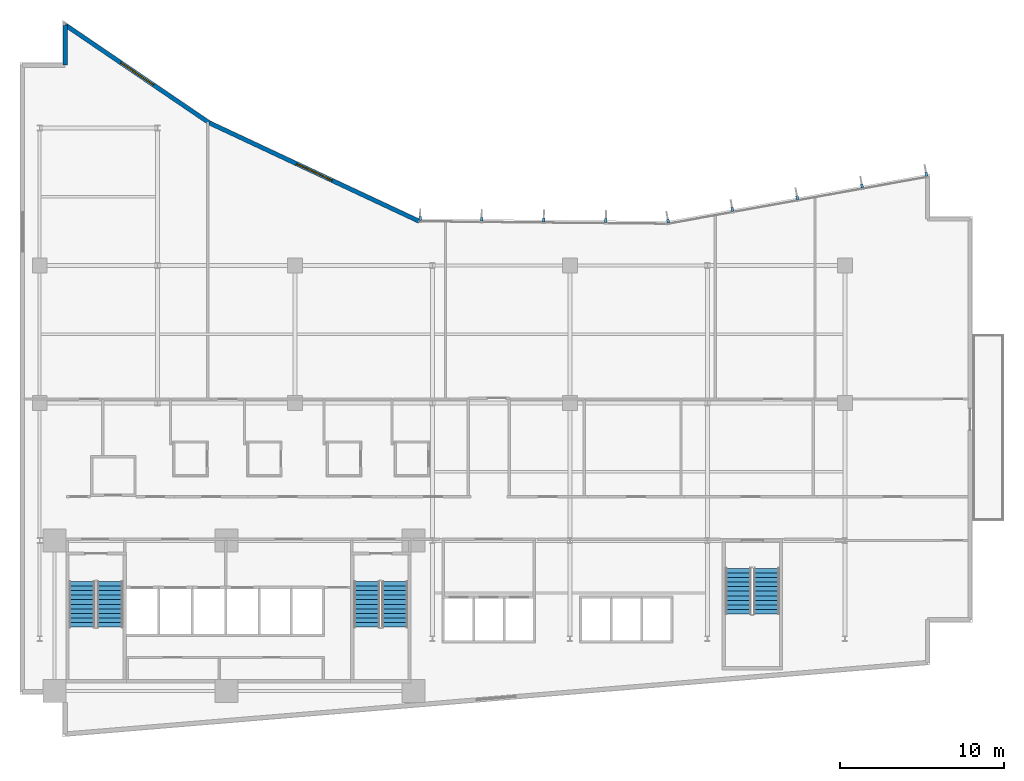
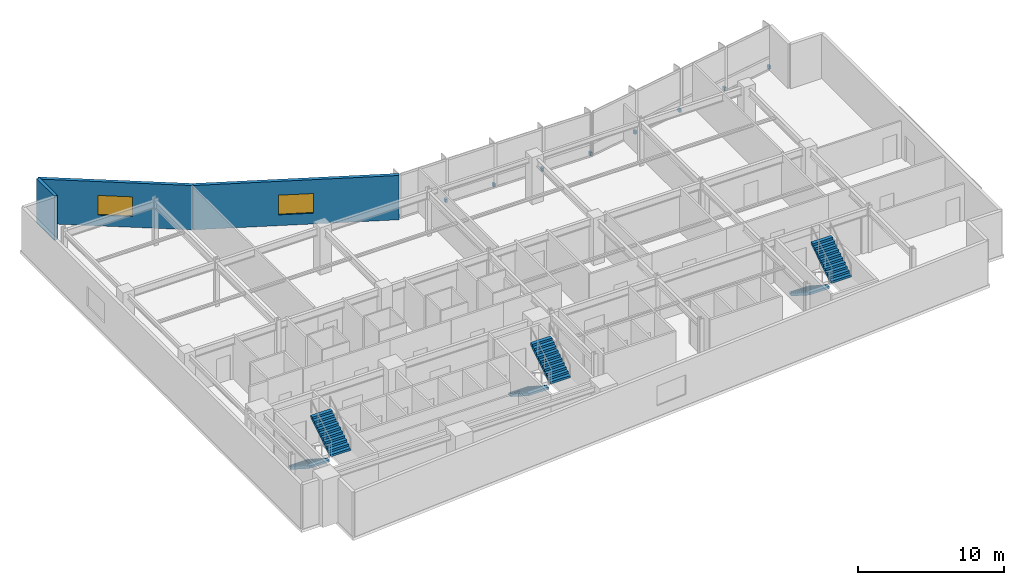
# One storey, part 13 of 18: 9 discrete accessories, 6 stair flights, 3 walls, 2 windows, 2 openings, 3 elements without a shape of their own.
"""IFC4 building model written with IfcOpenShell, lengths in metres."""

import ifcopenshell
import ifcopenshell.guid

model = None  # the IFC model being written
_history = None  # IfcOwnerHistory: only IFC2X3 demands one
_inside = {}  # id of a spatial element -> (the spatial element, [elements in it])
_under = {}  # id of a project, library or spatial element -> (it, [spatial elements below it])
_declared = {}  # id of a project -> (the project, [libraries it declares])
_typed = {}  # id of a type object -> (the type object, [elements of that type])
_made_of = {}  # id of a material, layer set ... -> (it, [elements and type objects made of it])


def new_model(schema):
    """Start an empty IFC model of exactly this schema.

    Asked for "IFC4X3", IfcOpenShell would pick the latest addendum, in which some entities
    have other attributes; the version numbers below select the first issue.
    IFC2X3 requires an IfcOwnerHistory on every rooted entity: one is made here for all.
    """
    global model, _history
    if schema == "IFC4X3":
        model = ifcopenshell.file(schema_version=(4, 3, 0, 0))
    else:
        model = ifcopenshell.file(schema=schema)
    _inside.clear()
    _under.clear()
    _declared.clear()
    _typed.clear()
    _made_of.clear()
    _history = None
    if model.schema == "IFC2X3":
        org = make("IfcOrganization", Name="unknown")
        user = make(
            "IfcPersonAndOrganization",
            ThePerson=make("IfcPerson", FamilyName="unknown"),
            TheOrganization=org,
        )
        app = make(
            "IfcApplication",
            ApplicationDeveloper=org,
            Version="unknown",
            ApplicationFullName="unknown",
            ApplicationIdentifier="unknown",
        )
        _history = make(
            "IfcOwnerHistory",
            OwningUser=user,
            OwningApplication=app,
            ChangeAction="ADDED",
            CreationDate=0,
        )
    return model


def make(cls, **values):
    """One entity of the class cls with the attributes given. An attribute that is None is left unset."""
    return model.create_entity(
        cls, **{name: value for name, value in values.items() if value is not None}
    )


def rooted(cls, **values):
    """An entity with a GlobalId (a new one), such as an element, a storey or a relation."""
    return make(cls, GlobalId=ifcopenshell.guid.new(), OwnerHistory=_history, **values)


def si_unit(unit_type, name, prefix=None):
    """IfcSIUnit, for example si_unit("LENGTHUNIT", "METRE", prefix="MILLI")."""
    return make("IfcSIUnit", UnitType=unit_type, Prefix=prefix, Name=name)


def assignment(units):
    """IfcUnitAssignment: the units of a project."""
    return None if units is None else make("IfcUnitAssignment", Units=units)


def point(xyz):
    """IfcCartesianPoint."""
    return None if xyz is None else make("IfcCartesianPoint", Coordinates=xyz)


def direction(xyz):
    """IfcDirection."""
    return None if xyz is None else make("IfcDirection", DirectionRatios=xyz)


def frame(location, z_axis=None, x_axis=None):
    """IfcAxis2Placement3D, a coordinate frame: its origin and axes. An axis left out is left unset."""
    return make(
        "IfcAxis2Placement3D",
        Location=point(location),
        Axis=direction(z_axis),
        RefDirection=direction(x_axis),
    )


def frame_2d(location, x_axis=None):
    """IfcAxis2Placement2D, a coordinate frame in the plane: its origin and x axis."""
    return make(
        "IfcAxis2Placement2D", Location=point(location), RefDirection=direction(x_axis)
    )


def origin():
    """The frame at (0, 0, 0) with its axes left unset."""
    return frame((0.0, 0.0, 0.0))


def origin_2d():
    """The frame at (0, 0) in the plane with its x axis left unset."""
    return frame_2d((0.0, 0.0))


def place(relative_to, where):
    """IfcLocalPlacement: puts the frame where relative to a parent placement (None: the world)."""
    return make(
        "IfcLocalPlacement", PlacementRelTo=relative_to, RelativePlacement=where
    )


def context(
    kind, dimensions, precision=None, world=None, true_north=None, identifier=None
):
    """IfcGeometricRepresentationContext, for example the 3D "Model" context."""
    return make(
        "IfcGeometricRepresentationContext",
        ContextIdentifier=identifier,
        ContextType=kind,
        CoordinateSpaceDimension=dimensions,
        Precision=precision,
        WorldCoordinateSystem=world,
        TrueNorth=true_north,
    )


def subcontext(parent, identifier, kind, view, scale=None):
    """IfcGeometricRepresentationSubContext, for example "Body" below "Model"."""
    return make(
        "IfcGeometricRepresentationSubContext",
        ContextIdentifier=identifier,
        ContextType=kind,
        ParentContext=parent,
        TargetScale=scale,
        TargetView=view,
    )


def project(units=None, contexts=None):
    """IfcProject with its units and contexts."""
    return rooted(
        "IfcProject",
        Name="project",
        RepresentationContexts=contexts,
        UnitsInContext=assignment(units),
    )


def spatial(cls, under=None, at=None, **own):
    """A site, building, storey or space (cls), placed at a placement, below another one or the project."""
    s = rooted(cls, ObjectPlacement=at, **own)
    if under is not None:
        _under.setdefault(under.id(), (under, []))[1].append(s)
    return s


def polyline(points):
    """IfcPolyline through the points."""
    return make("IfcPolyline", Points=[point(p) for p in points])


def profile(cls, at=None, kind="AREA", **sizes):
    """A parametric profile (cls). Its sizes go by their IFC names, for example OverallWidth=200.0."""
    return make(cls, ProfileType=kind, Position=at, **sizes)


def rectangle(**sizes):
    """IfcRectangleProfileDef."""
    return profile("IfcRectangleProfileDef", **sizes)


def outline(outer, holes=None, kind="AREA"):
    """IfcArbitraryClosedProfileDef: a profile drawn as a closed curve; with holes, ...WithVoids."""
    if holes is None:
        return make("IfcArbitraryClosedProfileDef", ProfileType=kind, OuterCurve=outer)
    return make(
        "IfcArbitraryProfileDefWithVoids",
        ProfileType=kind,
        OuterCurve=outer,
        InnerCurves=holes,
    )


def extrude(swept, where, along, depth):
    """IfcExtrudedAreaSolid: the profile swept, set in the frame where, extruded along a direction by depth."""
    return make(
        "IfcExtrudedAreaSolid",
        SweptArea=swept,
        Position=where,
        ExtrudedDirection=direction(along),
        Depth=depth,
    )


def shape(context_of_items, identifier, shape_type, items):
    """IfcShapeRepresentation: the items that make up one representation, for example the "Body"."""
    return make(
        "IfcShapeRepresentation",
        ContextOfItems=context_of_items,
        RepresentationIdentifier=identifier,
        RepresentationType=shape_type,
        Items=items,
    )


def material(Name=None, Category=None):
    """IfcMaterial."""
    return make("IfcMaterial", Name=Name, Category=Category)


def layer(
    of_material, thickness, ventilated=None, Name=None, Category=None, Priority=None
):
    """IfcMaterialLayer: one layer of a wall or slab, of a material (None: an air gap)."""
    return make(
        "IfcMaterialLayer",
        Material=of_material,
        LayerThickness=thickness,
        IsVentilated=ventilated,
        Name=Name,
        Category=Category,
        Priority=Priority,
    )


def layer_set(layers, Name=None):
    """IfcMaterialLayerSet."""
    return make("IfcMaterialLayerSet", MaterialLayers=layers, LayerSetName=Name)


def made_of(thing, what):
    """Note that an element or type object is made of a material, layer set ...; save() writes the relation."""
    if what is not None:
        _made_of.setdefault(what.id(), (what, []))[1].append(thing)
    return thing


def type_object(cls, material=None, **own):
    """A type object (cls), such as IfcWallType, which elements share."""
    return made_of(rooted(cls, **own), material)


def element(
    cls,
    number,
    at=None,
    inside=None,
    cuts=None,
    type_object=None,
    material=None,
    context=None,
    identifier="Body",
    shape_type=None,
    held_by="IfcProductDefinitionShape",
    body=None,
    shapes=None,
    **own,
):
    """One element of the class cls, such as IfcWall. Its Tag is "e" and its number.

    at: its placement. inside: the storey or other place that contains it. cuts: it is an
    opening in that element (IfcRelVoidsElement). A single representation is given by context,
    identifier, shape_type and body (its items); several are given by shapes. held_by: the class
    of the entity that holds the representations. save() writes the other relations.
    """
    e = rooted(cls, Tag="e%d" % number, ObjectPlacement=at, **own)
    if body is not None:
        shapes = [shape(context, identifier, shape_type, body)]
    if shapes is not None:
        e.Representation = make(held_by, Representations=shapes)
    if inside is not None:
        _inside.setdefault(inside.id(), (inside, []))[1].append(e)
    if cuts is not None:
        rooted(
            "IfcRelVoidsElement", RelatingBuildingElement=cuts, RelatedOpeningElement=e
        )
    if type_object is not None:
        _typed.setdefault(type_object.id(), (type_object, []))[1].append(e)
    return made_of(e, material)


def fill(opening, filler):
    """IfcRelFillsElement: the door or window that sits in an opening."""
    return rooted(
        "IfcRelFillsElement",
        RelatingOpeningElement=opening,
        RelatedBuildingElement=filler,
    )


def aggregate(whole, parts):
    """IfcRelAggregates: a whole, such as a stair, and the parts it consists of."""
    return rooted("IfcRelAggregates", RelatingObject=whole, RelatedObjects=parts)


def save(model, path):
    """Write the relations noted so far, then the file.

    IfcRelAggregates (storeys below a building ...), IfcRelContainedInSpatialStructure (elements
    in a storey), IfcRelDefinesByType, IfcRelAssociatesMaterial and IfcRelDeclares: one each for
    every whole, place, type object, material and project.
    """
    for whole, parts in _under.values():
        aggregate(whole, parts)
    for where, things in _inside.values():
        rooted(
            "IfcRelContainedInSpatialStructure",
            RelatedElements=things,
            RelatingStructure=where,
        )
    for kind, things in _typed.values():
        rooted("IfcRelDefinesByType", RelatedObjects=things, RelatingType=kind)
    for what, things in _made_of.values():
        rooted("IfcRelAssociatesMaterial", RelatedObjects=things, RelatingMaterial=what)
    for by, libraries in _declared.values():
        rooted("IfcRelDeclares", RelatingContext=by, RelatedDefinitions=libraries)
    model.write(path)


model = new_model("IFC4")

# Units and contexts
model_context = context("Model", 3, precision=1e-05, world=origin(), true_north=direction((0.0, 1.0)))
body_context = subcontext(model_context, "Body", "Model", "MODEL_VIEW")
ifc_project = project(units=[si_unit("LENGTHUNIT", "METRE"), si_unit("AREAUNIT", "SQUARE_METRE"), si_unit("VOLUMEUNIT", "CUBIC_METRE"), si_unit("PLANEANGLEUNIT", "RADIAN"), si_unit("MASSUNIT", "GRAM", prefix="KILO")], contexts=[model_context])

# Site, building, storey
site_placement = place(None, origin())
site = spatial("IfcSite", under=ifc_project, at=site_placement, CompositionType="ELEMENT")
building_placement = place(site_placement, origin())
building = spatial("IfcBuilding", under=site, at=building_placement, Name="Varnakote Quay Hospital", CompositionType="ELEMENT")
storey_placement = place(building_placement, frame((0.0, 0.0, 73.85009765625)))
storey = spatial("IfcBuildingStorey", under=building, at=storey_placement, Name="L18", CompositionType="ELEMENT", Elevation=73.85009765625)

# Wall, opening, window
ifc_material_1 = material(Name="Precast concrete N50 (f'c 50 MPa)", Category="concrete")
ifc_layer_1 = layer(ifc_material_1, 0.260009765625)
ifc_layer_set_1 = layer_set([ifc_layer_1], Name="Precast concrete N50 (f'c 50 MPa)")
wall_type = type_object("IfcWallType", Name="WL-EXT-BRICK-260", PredefinedType="STANDARD", material=ifc_layer_set_1)
wall_1_placement = place(storey_placement, frame((24.40771484375, 31.4921875, 0.0), z_axis=(0.0, 0.0, 1.0), x_axis=(-0.905396522918, 0.424566998585, 0.0)))
wall_1 = element("IfcWall", 1, at=wall_1_placement, inside=storey, type_object=wall_type, Name="L18 Brick-Faced Precast Exterior Wall", PredefinedType="STANDARD", context=body_context, shape_type="SweptSolid", body=[
    extrude(rectangle(XDim=14.189453125, YDim=0.260009765625, at=frame_2d((7.0947265625, 0.0))), origin(), (0.0, 0.0, 1.0), 3.7099609375),
])
opening_1_placement = place(wall_1_placement, frame((5.894775390625, 0.0, 0.89990234375)))
opening_1 = element("IfcOpeningElement", 2, at=opening_1_placement, cuts=wall_1, Name="Opening WN-0087", PredefinedType="OPENING", context=body_context, shape_type="SweptSolid", body=[
    extrude(rectangle(XDim=2.39990234375, YDim=1.64990234375, at=frame_2d((1.199951171875, 0.824951171875))), frame((0.0, 0.139892578125, 0.0), z_axis=(0.0, -1.0, 0.0), x_axis=(1.0, 0.0, 0.0)), (0.0, 0.0, 1.0), 0.280029296875),
])
ifc_material_2 = material(Name="Double-glazed low-E solar glass", Category="glass")
window_type = type_object("IfcWindowType", Name="WIN-CLIN-2400x1650", PartitioningType="SINGLE_PANEL", PredefinedType="WINDOW", material=ifc_material_2)
window_1_placement = place(opening_1_placement, origin())
window_1 = element("IfcWindow", 3, at=window_1_placement, inside=storey, type_object=window_type, Name="L18 Solar-Control Clinical Window", OverallHeight=1.64990234375, OverallWidth=2.39990234375, PartitioningType="SINGLE_PANEL", PredefinedType="WINDOW", context=body_context, shape_type="SweptSolid", body=[
    extrude(rectangle(XDim=2.39990234375, YDim=1.64990234375, at=frame_2d((1.199951171875, 0.824951171875))), frame((0.0, 0.030029296875, 0.0), z_axis=(0.0, -1.0, 0.0), x_axis=(1.0, 0.0, 0.0)), (0.0, 0.0, 1.0), 0.06005859375),
])
fill(opening_1, window_1)

wall_2_placement = place(storey_placement, frame((11.560546875, 37.5166015625, 0.0), z_axis=(0.0, 0.0, 1.0), x_axis=(-0.827064743936, 0.562106670782, 0.0)))
wall_2 = element("IfcWall", 4, at=wall_2_placement, inside=storey, type_object=wall_type, Name="L18 Brick-Faced Precast Exterior Wall", PredefinedType="STANDARD", context=body_context, shape_type="SweptSolid", body=[
    extrude(rectangle(XDim=10.640625, YDim=0.260009765625, at=frame_2d((5.3203125, 0.0))), origin(), (0.0, 0.0, 1.0), 3.7099609375),
])
opening_2_placement = place(wall_2_placement, frame((4.120361328125, 0.0, 0.89990234375)))
opening_2 = element("IfcOpeningElement", 5, at=opening_2_placement, cuts=wall_2, Name="Opening WN-0088", PredefinedType="OPENING", context=body_context, shape_type="SweptSolid", body=[
    extrude(rectangle(XDim=2.39990234375, YDim=1.64990234375, at=frame_2d((1.199951171875, 0.824951171875))), frame((0.0, 0.139892578125, 0.0), z_axis=(0.0, -1.0, 0.0), x_axis=(1.0, 0.0, 0.0)), (0.0, 0.0, 1.0), 0.280029296875),
])
window_2_placement = place(opening_2_placement, origin())
window_2 = element("IfcWindow", 6, at=window_2_placement, inside=storey, type_object=window_type, Name="L18 Solar-Control Clinical Window", OverallHeight=1.64990234375, OverallWidth=2.39990234375, PartitioningType="SINGLE_PANEL", PredefinedType="WINDOW", context=body_context, shape_type="SweptSolid", body=[
    extrude(rectangle(XDim=2.39990234375, YDim=1.64990234375, at=frame_2d((1.199951171875, 0.824951171875))), frame((0.0, 0.030029296875, 0.0), z_axis=(0.0, -1.0, 0.0), x_axis=(1.0, 0.0, 0.0)), (0.0, 0.0, 1.0), 0.06005859375),
])
fill(opening_2, window_2)

# Wall
wall_3_placement = place(storey_placement, frame((2.760009765625, 43.497802734375, 0.0), z_axis=(0.0, 0.0, 1.0), x_axis=(0.0, -1.0, 0.0)))
element("IfcWall", 7, at=wall_3_placement, inside=storey, type_object=wall_type, Name="L18 Brick-Faced Precast Exterior Wall", PredefinedType="STANDARD", context=body_context, shape_type="SweptSolid", body=[
    extrude(rectangle(XDim=2.457763671875, YDim=0.260009765625, at=frame_2d((1.22900390625, 0.0))), origin(), (0.0, 0.0, 1.0), 3.7099609375),
])

# Stair, stair flights
ifc_material_3 = material(Name="Concrete N40 (f'c 40 MPa)", Category="concrete")
stair_type = type_object("IfcStairType", Name="STR-CORE-1580", PredefinedType="HALF_TURN_STAIR", material=ifc_material_3)
stair_1_placement = place(storey_placement, origin())
stair_1 = element("IfcStair", 8, at=stair_1_placement, inside=storey, type_object=stair_type, Name="L18 Fire-Isolated Exit Stair ST-01", PredefinedType="HALF_TURN_STAIR")
ifc_material_4 = material(Name="Concrete N40 (f'c 40 MPa)", Category="concrete")
ifc_layer_2 = layer(ifc_material_4, 0.159912109375)
ifc_layer_set_2 = layer_set([ifc_layer_2], Name="Concrete N40 (f'c 40 MPa)")
stair_flight_type = type_object("IfcStairFlightType", Name="FLT-CORE-1580", PredefinedType="STRAIGHT", material=ifc_layer_set_2)
stair_flight_1_placement = place(storey_placement, frame((3.7900390625, 9.5, 0.0), z_axis=(0.0, 0.0, 1.0), x_axis=(0.0, -1.0, 0.0)))
stair_flight_1 = element("IfcStairFlight", 9, at=stair_flight_1_placement, type_object=stair_flight_type, Name="ST-01 flight 1", NumberOfRisers=11, NumberOfTreads=10, PredefinedType="STRAIGHT", RiserHeight=0.179545455, TreadLength=0.28, context=body_context, shape_type="SweptSolid", body=[
    extrude(outline(polyline([(0.0, 0.0), (0.0, 0.179443359375), (0.280029296875, 0.179443359375), (0.280029296875, 0.359130859375), (0.56005859375, 0.359130859375), (0.56005859375, 0.53857421875), (0.840087890625, 0.53857421875), (0.840087890625, 0.71826171875), (1.1201171875, 0.71826171875), (1.1201171875, 0.897705078125), (1.39990234375, 0.897705078125), (1.39990234375, 1.077392578125), (1.679931640625, 1.077392578125), (1.679931640625, 1.2568359375), (1.9599609375, 1.2568359375), (1.9599609375, 1.436279296875), (2.239990234375, 1.436279296875), (2.239990234375, 1.615966796875), (2.52001953125, 1.615966796875), (2.52001953125, 1.79541015625), (2.800048828125, 1.79541015625), (2.800048828125, 1.97509765625), (2.800048828125, 1.60546875), (0.296142578125, 0.0), (0.0, 0.0)])), frame((0.0, 0.7900390625, 0.0), z_axis=(0.0, -1.0, 0.0), x_axis=(1.0, 0.0, 0.0)), (0.0, 0.0, 1.0), 1.580078125),
])
stair_flight_2_placement = place(storey_placement, frame((5.510009765625, 6.699951171875, 1.974853515625), z_axis=(0.0, 0.0, 1.0), x_axis=(0.0, 1.0, 0.0)))
stair_flight_2 = element("IfcStairFlight", 10, at=stair_flight_2_placement, type_object=stair_flight_type, Name="ST-01 flight 2", NumberOfRisers=11, NumberOfTreads=10, PredefinedType="STRAIGHT", RiserHeight=0.179545455, TreadLength=0.28, context=body_context, shape_type="SweptSolid", body=[
    extrude(outline(polyline([(0.0, 0.0), (0.0, 0.179443359375), (0.280029296875, 0.179443359375), (0.280029296875, 0.359130859375), (0.56005859375, 0.359130859375), (0.56005859375, 0.53857421875), (0.840087890625, 0.53857421875), (0.840087890625, 0.71826171875), (1.1201171875, 0.71826171875), (1.1201171875, 0.897705078125), (1.39990234375, 0.897705078125), (1.39990234375, 1.077392578125), (1.679931640625, 1.077392578125), (1.679931640625, 1.2568359375), (1.9599609375, 1.2568359375), (1.9599609375, 1.436279296875), (2.239990234375, 1.436279296875), (2.239990234375, 1.615966796875), (2.52001953125, 1.615966796875), (2.52001953125, 1.79541015625), (2.800048828125, 1.79541015625), (2.800048828125, 1.97509765625), (2.800048828125, 1.60546875), (0.296142578125, 0.0), (0.0, 0.0)])), frame((0.0, 0.7900390625, 0.0), z_axis=(0.0, -1.0, 0.0), x_axis=(1.0, 0.0, 0.0)), (0.0, 0.0, 1.0), 1.580078125),
])
aggregate(stair_1, [stair_flight_1, stair_flight_2])

stair_2_placement = place(storey_placement, origin())
stair_2 = element("IfcStair", 11, at=stair_2_placement, inside=storey, type_object=stair_type, Name="L18 Fire-Isolated Exit Stair ST-02", PredefinedType="HALF_TURN_STAIR")
stair_flight_3_placement = place(storey_placement, frame((21.18994140625, 9.5, 0.0), z_axis=(0.0, 0.0, 1.0), x_axis=(0.0, -1.0, 0.0)))
stair_flight_3 = element("IfcStairFlight", 12, at=stair_flight_3_placement, type_object=stair_flight_type, Name="ST-02 flight 1", NumberOfRisers=11, NumberOfTreads=10, PredefinedType="STRAIGHT", RiserHeight=0.179545455, TreadLength=0.28, context=body_context, shape_type="SweptSolid", body=[
    extrude(outline(polyline([(0.0, 0.0), (0.0, 0.179443359375), (0.280029296875, 0.179443359375), (0.280029296875, 0.359130859375), (0.56005859375, 0.359130859375), (0.56005859375, 0.53857421875), (0.840087890625, 0.53857421875), (0.840087890625, 0.71826171875), (1.1201171875, 0.71826171875), (1.1201171875, 0.897705078125), (1.39990234375, 0.897705078125), (1.39990234375, 1.077392578125), (1.679931640625, 1.077392578125), (1.679931640625, 1.2568359375), (1.9599609375, 1.2568359375), (1.9599609375, 1.436279296875), (2.239990234375, 1.436279296875), (2.239990234375, 1.615966796875), (2.52001953125, 1.615966796875), (2.52001953125, 1.79541015625), (2.800048828125, 1.79541015625), (2.800048828125, 1.97509765625), (2.800048828125, 1.60546875), (0.296142578125, 0.0), (0.0, 0.0)])), frame((0.0, 0.7900390625, 0.0), z_axis=(0.0, -1.0, 0.0), x_axis=(1.0, 0.0, 0.0)), (0.0, 0.0, 1.0), 1.580078125),
])
stair_flight_4_placement = place(storey_placement, frame((22.909912109375, 6.699951171875, 1.974853515625), z_axis=(0.0, 0.0, 1.0), x_axis=(0.0, 1.0, 0.0)))
stair_flight_4 = element("IfcStairFlight", 13, at=stair_flight_4_placement, type_object=stair_flight_type, Name="ST-02 flight 2", NumberOfRisers=11, NumberOfTreads=10, PredefinedType="STRAIGHT", RiserHeight=0.179545455, TreadLength=0.28, context=body_context, shape_type="SweptSolid", body=[
    extrude(outline(polyline([(0.0, 0.0), (0.0, 0.179443359375), (0.280029296875, 0.179443359375), (0.280029296875, 0.359130859375), (0.56005859375, 0.359130859375), (0.56005859375, 0.53857421875), (0.840087890625, 0.53857421875), (0.840087890625, 0.71826171875), (1.1201171875, 0.71826171875), (1.1201171875, 0.897705078125), (1.39990234375, 0.897705078125), (1.39990234375, 1.077392578125), (1.679931640625, 1.077392578125), (1.679931640625, 1.2568359375), (1.9599609375, 1.2568359375), (1.9599609375, 1.436279296875), (2.239990234375, 1.436279296875), (2.239990234375, 1.615966796875), (2.52001953125, 1.615966796875), (2.52001953125, 1.79541015625), (2.800048828125, 1.79541015625), (2.800048828125, 1.97509765625), (2.800048828125, 1.60546875), (0.296142578125, 0.0), (0.0, 0.0)])), frame((0.0, 0.7900390625, 0.0), z_axis=(0.0, -1.0, 0.0), x_axis=(1.0, 0.0, 0.0)), (0.0, 0.0, 1.0), 1.580078125),
])
aggregate(stair_2, [stair_flight_3, stair_flight_4])

stair_3_placement = place(storey_placement, origin())
stair_3 = element("IfcStair", 14, at=stair_3_placement, inside=storey, type_object=stair_type, Name="L18 Fire-Isolated Exit Stair ST-03", PredefinedType="HALF_TURN_STAIR")
stair_flight_5_placement = place(storey_placement, frame((43.889892578125, 10.300048828125, 0.0), z_axis=(0.0, 0.0, 1.0), x_axis=(0.0, -1.0, 0.0)))
stair_flight_5 = element("IfcStairFlight", 15, at=stair_flight_5_placement, type_object=stair_flight_type, Name="ST-03 flight 1", NumberOfRisers=11, NumberOfTreads=10, PredefinedType="STRAIGHT", RiserHeight=0.179545455, TreadLength=0.28, context=body_context, shape_type="SweptSolid", body=[
    extrude(outline(polyline([(0.0, 0.0), (0.0, 0.179443359375), (0.280029296875, 0.179443359375), (0.280029296875, 0.359130859375), (0.56005859375, 0.359130859375), (0.56005859375, 0.53857421875), (0.840087890625, 0.53857421875), (0.840087890625, 0.71826171875), (1.1201171875, 0.71826171875), (1.1201171875, 0.897705078125), (1.39990234375, 0.897705078125), (1.39990234375, 1.077392578125), (1.679931640625, 1.077392578125), (1.679931640625, 1.2568359375), (1.9599609375, 1.2568359375), (1.9599609375, 1.436279296875), (2.239990234375, 1.436279296875), (2.239990234375, 1.615966796875), (2.52001953125, 1.615966796875), (2.52001953125, 1.79541015625), (2.800048828125, 1.79541015625), (2.800048828125, 1.97509765625), (2.800048828125, 1.60546875), (0.296142578125, 0.0), (0.0, 0.0)])), frame((0.0, 0.7900390625, 0.0), z_axis=(0.0, -1.0, 0.0), x_axis=(1.0, 0.0, 0.0)), (0.0, 0.0, 1.0), 1.580078125),
])
stair_flight_6_placement = place(storey_placement, frame((45.610107421875, 7.5, 1.974853515625), z_axis=(0.0, 0.0, 1.0), x_axis=(0.0, 1.0, 0.0)))
stair_flight_6 = element("IfcStairFlight", 16, at=stair_flight_6_placement, type_object=stair_flight_type, Name="ST-03 flight 2", NumberOfRisers=11, NumberOfTreads=10, PredefinedType="STRAIGHT", RiserHeight=0.179545455, TreadLength=0.28, context=body_context, shape_type="SweptSolid", body=[
    extrude(outline(polyline([(0.0, 0.0), (0.0, 0.179443359375), (0.280029296875, 0.179443359375), (0.280029296875, 0.359130859375), (0.56005859375, 0.359130859375), (0.56005859375, 0.53857421875), (0.840087890625, 0.53857421875), (0.840087890625, 0.71826171875), (1.1201171875, 0.71826171875), (1.1201171875, 0.897705078125), (1.39990234375, 0.897705078125), (1.39990234375, 1.077392578125), (1.679931640625, 1.077392578125), (1.679931640625, 1.2568359375), (1.9599609375, 1.2568359375), (1.9599609375, 1.436279296875), (2.239990234375, 1.436279296875), (2.239990234375, 1.615966796875), (2.52001953125, 1.615966796875), (2.52001953125, 1.79541015625), (2.800048828125, 1.79541015625), (2.800048828125, 1.97509765625), (2.800048828125, 1.60546875), (0.296142578125, 0.0), (0.0, 0.0)])), frame((0.0, 0.7900390625, 0.0), z_axis=(0.0, -1.0, 0.0), x_axis=(1.0, 0.0, 0.0)), (0.0, 0.0, 1.0), 1.580078125),
])
aggregate(stair_3, [stair_flight_5, stair_flight_6])

# Discrete accessories
ifc_material_5 = material(Name="Anodised aluminium 6063-T6 Bronze", Category="aluminium")
discrete_accessory_type = type_object("IfcDiscreteAccessoryType", Name="ACC-FIN-BRACKET-180", PredefinedType="BRACKET", material=ifc_material_5)
for number, where, z_axis, x_axis, name in (
    (17, (55.372802734375, 34.369140625, 0.0), (0.0, 0.0, 1.0), (-0.984071739666, -0.177771795263, 0.0), "L18 Curtain Wall Fin Fixing Bracket"),
    (18, (51.447265625, 33.65966796875, 0.0), (0.0, 0.0, 1.0), (-0.984071739666, -0.177771795263, 0.0), "L18 Curtain Wall Fin Fixing Bracket"),
    (19, (47.484619140625, 32.943603515625, 0.0), (0.0, 0.0, 1.0), (-0.984071739666, -0.177771795263, 0.0), "L18 Curtain Wall Fin Fixing Bracket"),
    (20, (43.52197265625, 32.227294921875, 0.0), (0.0, 0.0, 1.0), (-0.984071739666, -0.177771795263, 0.0), "L18 Curtain Wall Fin Fixing Bracket"),
    (21, (39.59619140625, 31.517822265625, 0.0), (0.0, 0.0, 1.0), (-0.984071739666, -0.177771795263, 0.0), "L18 Curtain Wall Fin Fixing Bracket"),
    (22, (35.7958984375, 31.551025390625, 0.0), (0.0, 0.0, 1.0), (-0.999952236369, 0.009773688199, 0.0), "L18 Curtain Wall Fin Fixing Bracket"),
    (23, (32.000244140625, 31.588134765625, 0.0), (0.0, 0.0, 1.0), (-0.999952236369, 0.009773688199, 0.0), "L18 Curtain Wall Fin Fixing Bracket"),
    (24, (28.204833984375, 31.625244140625, 0.0), (0.0, 0.0, 1.0), (-0.999952236369, 0.009773688199, 0.0), "L18 Curtain Wall Fin Fixing Bracket"),
    (25, (24.44677734375, 31.661865234375, 0.0), (0.0, 0.0, 1.0), (-0.999952236369, 0.009773688199, 0.0), "L18 Curtain Wall Fin Fixing Bracket"),
):
    element("IfcDiscreteAccessory", number, at=place(storey_placement, frame(where, z_axis=z_axis, x_axis=x_axis)), inside=storey, type_object=discrete_accessory_type, Name=name, PredefinedType="BRACKET", context=body_context, shape_type="SweptSolid", body=[
        extrude(rectangle(XDim=0.159912109375, YDim=0.239990234375, at=origin_2d()), origin(), (0.0, 0.0, 1.0), 0.280029296875),
    ])

save(model, "model.ifc")
